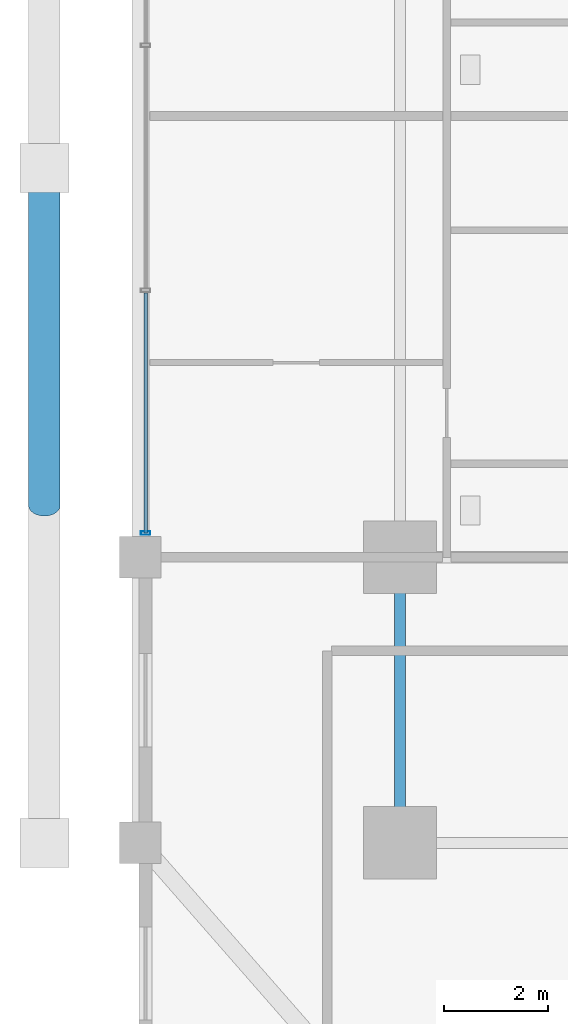
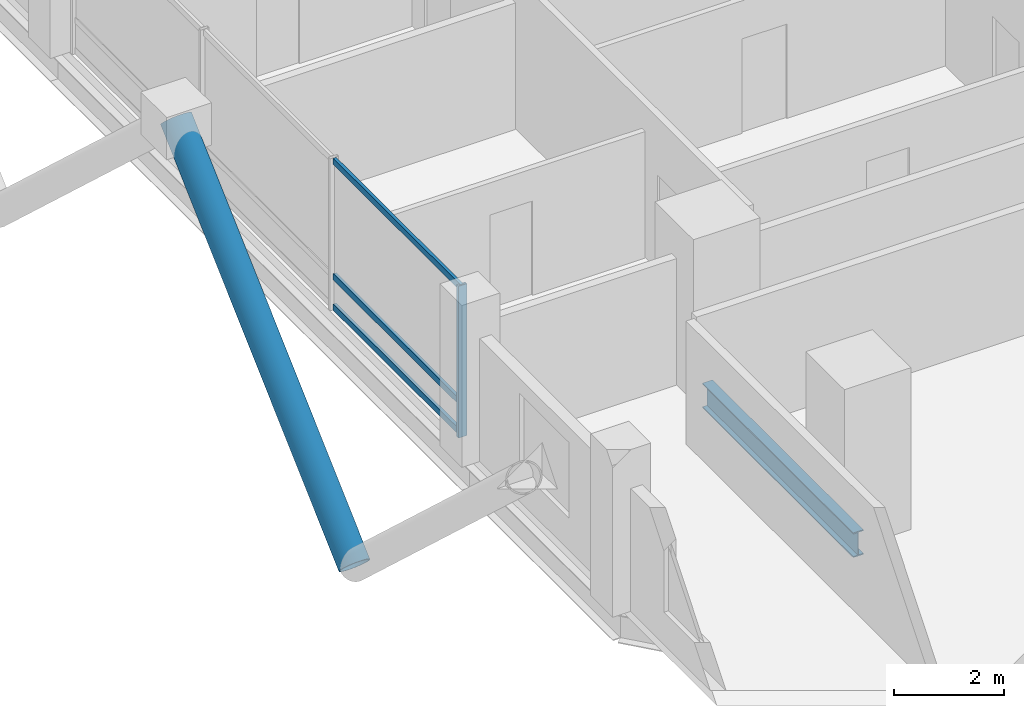
# One storey, part 4 of 23: 5 members, 1 beam, 1 element without a shape of its own.
"""IFC4 building model written with IfcOpenShell, lengths in metres."""

from ifc_helpers import new_model, si_unit, direction, frame, origin, origin_2d, place, context, subcontext, project, spatial, hollow_rectangle, hollow_circle, i_section, extrude, material, layer, layer_set, material_profile, profile_set, type_object, element, aggregate, save


model = new_model("IFC4")

# Units and contexts
model_context = context("Model", 3, precision=1e-05, world=origin(), true_north=direction((0.0, 1.0)))
body_context = subcontext(model_context, "Body", "Model", "MODEL_VIEW")
ifc_project = project(units=[si_unit("LENGTHUNIT", "METRE"), si_unit("AREAUNIT", "SQUARE_METRE"), si_unit("VOLUMEUNIT", "CUBIC_METRE"), si_unit("PLANEANGLEUNIT", "RADIAN"), si_unit("MASSUNIT", "GRAM", prefix="KILO")], contexts=[model_context])

# Site, building, storey
site_placement = place(None, origin())
site = spatial("IfcSite", under=ifc_project, at=site_placement, CompositionType="ELEMENT")
building_placement = place(site_placement, origin())
building = spatial("IfcBuilding", under=site, at=building_placement, Name="Barlavira Tower and Art Museum", CompositionType="ELEMENT")
storey_placement = place(building_placement, frame((0.0, 0.0, 36.0)))
storey = spatial("IfcBuildingStorey", under=building, at=storey_placement, Name="L07", CompositionType="ELEMENT", Elevation=36.0)

# Curtain wall, members
ifc_material_1 = material(Name="Low-iron coastal laminated glass", Category="glass")
ifc_layer = layer(ifc_material_1, 0.179931640625, Name="Low-iron coastal laminated glass")
ifc_layer_set = layer_set([ifc_layer], Name="Low-iron coastal laminated glass")
curtain_wall_type = type_object("IfcCurtainWallType", Name="Pale-Metal Unitised Curtain Wall Zone 1", PredefinedType="NOTDEFINED", material=ifc_layer_set)
curtain_wall_placement = place(storey_placement, origin())
curtain_wall = element("IfcCurtainWall", 1, at=curtain_wall_placement, inside=storey, type_object=curtain_wall_type, Name="L07 Curtain Wall CW1-L07-W-B3", PredefinedType="NOTDEFINED")
ifc_material_2 = material(Name="Pale anodised aluminium", Category="aluminium")
ifc_material_profile_1 = material_profile(ifc_material_2, hollow_rectangle(XDim=0.06494140625, YDim=0.179931640625, WallThickness=0.00390625, at=origin_2d()), Name="ALU-MULL 65x180x4")
ifc_profile_set_1 = profile_set([ifc_material_profile_1], Name="Pale anodised aluminium")
member_type_1 = type_object("IfcMemberType", Name="Curtain Wall Pale-Metal Mullion 65x180", PredefinedType="MULLION", material=ifc_profile_set_1)
member_1_placement = place(storey_placement, frame((-21.89990234375, -7.034912109375, 0.0), z_axis=(0.0, 0.0, 1.0), x_axis=(0.0, -1.0, 0.0)))
member_1 = element("IfcMember", 2, at=member_1_placement, type_object=member_type_1, Name="CW1-L07-W-B3 Mullion 3", PredefinedType="MULLION", context=body_context, shape_type="SweptSolid", body=[
    extrude(hollow_rectangle(XDim=0.06494140625, YDim=0.179931640625, WallThickness=0.00390625, at=origin_2d()), origin(), (0.0, 0.0, 1.0), 3.3798828125),
])
ifc_material_profile_2 = material_profile(ifc_material_2, hollow_rectangle(XDim=0.06494140625, YDim=0.139892578125, WallThickness=0.00390625, at=origin_2d()), Name="ALU-TRAN 65x140x4")
ifc_profile_set_2 = profile_set([ifc_material_profile_2], Name="Pale anodised aluminium")
member_type_2 = type_object("IfcMemberType", Name="Curtain Wall Pale-Metal Transom 65x140", PredefinedType="USERDEFINED", material=ifc_profile_set_2)
member_2_placement = place(storey_placement, frame((-21.89990234375, -2.405029296875, 0.070068359375), z_axis=(0.0, -1.0, 0.0), x_axis=(1.0, 0.0, 0.0)))
member_2 = element("IfcMember", 3, at=member_2_placement, type_object=member_type_2, Name="CW1-L07-W-B3 Transom 2.1", ObjectType="TRANSOM", PredefinedType="USERDEFINED", context=body_context, shape_type="SweptSolid", body=[
    extrude(hollow_rectangle(XDim=0.06494140625, YDim=0.139892578125, WallThickness=0.00390625, at=origin_2d()), origin(), (0.0, 0.0, 1.0), 4.6298828125),
])
member_3_placement = place(storey_placement, frame((-21.89990234375, -2.405029296875, 0.743896484375), z_axis=(0.0, -1.0, 0.0), x_axis=(1.0, 0.0, 0.0)))
member_3 = element("IfcMember", 4, at=member_3_placement, type_object=member_type_2, Name="CW1-L07-W-B3 Transom 2.2", ObjectType="TRANSOM", PredefinedType="USERDEFINED", context=body_context, shape_type="SweptSolid", body=[
    extrude(hollow_rectangle(XDim=0.06494140625, YDim=0.139892578125, WallThickness=0.00390625, at=origin_2d()), origin(), (0.0, 0.0, 1.0), 4.6298828125),
])
member_4_placement = place(storey_placement, frame((-21.89990234375, -2.405029296875, 3.31005859375), z_axis=(0.0, -1.0, 0.0), x_axis=(1.0, 0.0, 0.0)))
member_4 = element("IfcMember", 5, at=member_4_placement, type_object=member_type_2, Name="CW1-L07-W-B3 Transom 2.3", ObjectType="TRANSOM", PredefinedType="USERDEFINED", context=body_context, shape_type="SweptSolid", body=[
    extrude(hollow_rectangle(XDim=0.06494140625, YDim=0.139892578125, WallThickness=0.00390625, at=origin_2d()), origin(), (0.0, 0.0, 1.0), 4.6298828125),
])
aggregate(curtain_wall, [member_1, member_2, member_3, member_4])

# Member
ifc_material_3 = material(Name="Steel S355", Category="steel")
ifc_material_profile_3 = material_profile(ifc_material_3, hollow_circle(Radius=0.304931640625, WallThickness=0.028076171875, at=origin_2d()), Name="CHS 610.0x28.0")
ifc_profile_set_3 = profile_set([ifc_material_profile_3], Name="Steel S355")
member_type_3 = type_object("IfcMemberType", Name="Pale-Metal Exoskeleton Diagrid Tube CHS 610x28 Steel S355", PredefinedType="BRACE", material=ifc_profile_set_3)
member_5_placement = place(storey_placement, frame((-23.85009765625, -6.5, -2.52001953125), z_axis=(0.0, 0.734803444627, 0.678280102733), x_axis=(-1.0, 0.0, 0.0)))
element("IfcMember", 6, at=member_5_placement, inside=storey, type_object=member_type_3, Name="L07 Exoskeleton Diagrid Tube W", PredefinedType="BRACE", context=body_context, shape_type="SweptSolid", body=[
    extrude(hollow_circle(Radius=0.304931640625, WallThickness=0.028076171875, at=origin_2d()), origin(), (0.0, 0.0, 1.0), 8.845947265625),
])

# Beam
ifc_material_profile_4 = material_profile(ifc_material_3, i_section(OverallWidth=0.214111328125, OverallDepth=0.549072265625, WebThickness=0.0146484375, FlangeThickness=0.023681640625, at=origin_2d()), Name="W530x138.0")
ifc_profile_set_4 = profile_set([ifc_material_profile_4], Name="Steel S355")
beam_type = type_object("IfcBeamType", Name="Zone 1 Primary Floor Girder W530x138 Steel S355", PredefinedType="BEAM", material=ifc_profile_set_4)
beam_placement = place(storey_placement, frame((-17.0, -13.0, -0.494384765625), z_axis=(0.0, 1.0, 0.0), x_axis=(-1.0, 0.0, 0.0)))
element("IfcBeam", 7, at=beam_placement, inside=storey, type_object=beam_type, Name="L07 Girder M-W1", PredefinedType="BEAM", context=body_context, shape_type="SweptSolid", body=[
    extrude(i_section(OverallWidth=0.214111328125, OverallDepth=0.549072265625, WebThickness=0.0146484375, FlangeThickness=0.023681640625, at=origin_2d()), origin(), (0.0, 0.0, 1.0), 5.5),
])

save(model, "model.ifc")
